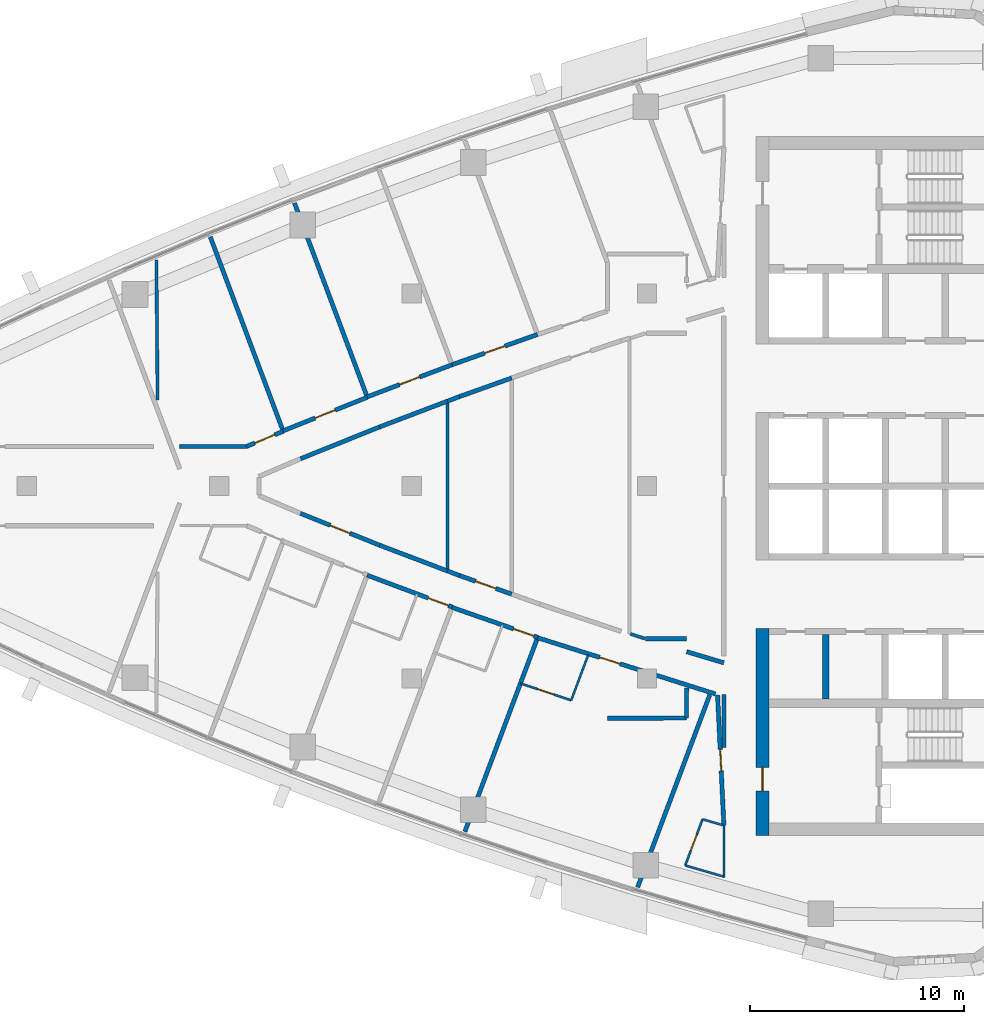
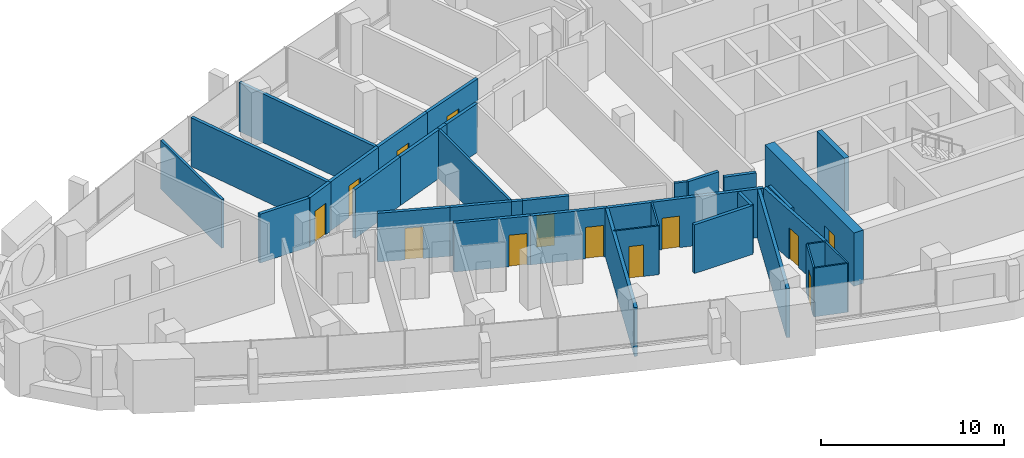
# One storey, part 9 of 16: 37 walls, 13 doors, 13 openings.
"""IFC4 building model written with IfcOpenShell, lengths in metres."""

from ifc_helpers import new_model, si_unit, direction, frame, frame_2d, origin, place, context, subcontext, project, spatial, rectangle, extrude, material, layer, layer_set, type_object, element, fill, save


model = new_model("IFC4")

# Units and contexts
model_context = context("Model", 3, precision=1e-05, world=origin(), true_north=direction((0.0, 1.0)))
body_context = subcontext(model_context, "Body", "Model", "MODEL_VIEW")
ifc_project = project(units=[si_unit("LENGTHUNIT", "METRE"), si_unit("AREAUNIT", "SQUARE_METRE"), si_unit("VOLUMEUNIT", "CUBIC_METRE"), si_unit("PLANEANGLEUNIT", "RADIAN"), si_unit("MASSUNIT", "GRAM", prefix="KILO")], contexts=[model_context])

# Site, building, storey
site_placement = place(None, origin())
site = spatial("IfcSite", under=ifc_project, at=site_placement, CompositionType="ELEMENT")
building_placement = place(site_placement, origin())
building = spatial("IfcBuilding", under=site, at=building_placement, Name="Ostrand Prow Hotel Tower", CompositionType="ELEMENT")
storey_placement = place(building_placement, frame((0.0, 0.0, 245.64990234375)))
storey = spatial("IfcBuildingStorey", under=building, at=storey_placement, Name="L62", CompositionType="ELEMENT", Elevation=245.64990234375)

# Wall
ifc_material_1 = material(Name="Concrete C50/60", Category="concrete")
ifc_layer_1 = layer(ifc_material_1, 0.300048828125)
ifc_layer_set_1 = layer_set([ifc_layer_1], Name="Concrete C50/60")
wall_type_1 = type_object("IfcWallType", Name="Core wall 300 C50/60", PredefinedType="SHEAR", material=ifc_layer_set_1)
wall_1_placement = place(storey_placement, frame((53.35009765625, -9.949951171875, 0.0), z_axis=(0.0, 0.0, 1.0), x_axis=(0.0, 1.0, 0.0)))
element("IfcWall", 1, at=wall_1_placement, inside=storey, type_object=wall_type_1, Name="Core wall PW-R1-SA", PredefinedType="SHEAR", context=body_context, shape_type="SweptSolid", body=[
    extrude(rectangle(XDim=3.0, YDim=0.300048828125, at=frame_2d((1.5, 0.0))), origin(), (0.0, 0.0, 1.0), 3.550048828125),
])

# Wall, opening, door
ifc_material_2 = material(Name="Concrete C50/60", Category="concrete")
ifc_layer_2 = layer(ifc_material_2, 0.60009765625)
ifc_layer_set_2 = layer_set([ifc_layer_2], Name="Concrete C50/60")
wall_type_2 = type_object("IfcWallType", Name="Core wall 600 C50/60", PredefinedType="SHEAR", material=ifc_layer_set_2)
wall_2_placement = place(storey_placement, frame((50.39990234375, -16.35009765625, 0.0), z_axis=(0.0, 0.0, 1.0), x_axis=(0.0, 1.0, 0.0)))
wall_2 = element("IfcWall", 2, at=wall_2_placement, inside=storey, type_object=wall_type_2, Name="Core wall CW-W-S", PredefinedType="SHEAR", context=body_context, shape_type="SweptSolid", body=[
    extrude(rectangle(XDim=9.7001953125, YDim=0.60009765625, at=frame_2d((4.85009765625, 0.0))), origin(), (0.0, 0.0, 1.0), 3.550048828125),
])
opening_1_placement = place(wall_2_placement, frame((2.10009765625, 0.0, 0.0)))
opening_1 = element("IfcOpeningElement", 3, at=opening_1_placement, cuts=wall_2, Name="Opening FD1", PredefinedType="OPENING", context=body_context, shape_type="SweptSolid", body=[
    extrude(rectangle(XDim=1.10009765625, YDim=2.10009765625, at=frame_2d((0.550048828125, 1.050048828125))), frame((0.0, 0.31005859375, 0.0), z_axis=(0.0, -1.0, 0.0), x_axis=(1.0, 0.0, 0.0)), (0.0, 0.0, 1.0), 0.6201171875),
])
ifc_material_3 = material(Name="Steel fire door", Category="steel")
door_type_1 = type_object("IfcDoorType", Name="Fire door 1100 EI120", OperationType="SINGLE_SWING_RIGHT", PredefinedType="DOOR", material=ifc_material_3)
door_1_placement = place(opening_1_placement, origin())
door_1 = element("IfcDoor", 4, at=door_1_placement, inside=storey, type_object=door_type_1, Name="FIRE DOOR", OperationType="SINGLE_SWING_RIGHT", OverallHeight=2.10009765625, OverallWidth=1.10009765625, PredefinedType="DOOR", context=body_context, shape_type="SweptSolid", body=[
    extrude(rectangle(XDim=1.10009765625, YDim=2.10009765625, at=frame_2d((0.550048828125, 1.050048828125))), frame((0.0, 0.02490234375, 0.0), z_axis=(0.0, -1.0, 0.0), x_axis=(1.0, 0.0, 0.0)), (0.0, 0.0, 1.0), 0.050048828125),
])
fill(opening_1, door_1)

# Wall
ifc_material_4 = material(Name="Plasterboard partition")
ifc_layer_3 = layer(ifc_material_4, 0.10009765625)
ifc_layer_set_3 = layer_set([ifc_layer_3], Name="Plasterboard partition")
wall_type_3 = type_object("IfcWallType", Name="Partition 100 bathroom wall", PredefinedType="PARTITIONING", material=ifc_layer_set_3)
wall_3_placement = place(storey_placement, frame((42.254150390625, -7.88623046875, 0.0), z_axis=(0.0, 0.0, 1.0), x_axis=(-0.351111699725, -0.936333580684, 0.0)))
element("IfcWall", 5, at=wall_3_placement, inside=storey, type_object=wall_type_3, Name="BATHROOM WALL", PredefinedType="PARTITIONING", context=body_context, shape_type="SweptSolid", body=[
    extrude(rectangle(XDim=2.278564453125, YDim=0.10009765625, at=frame_2d((1.13916015625, 0.0))), origin(), (0.0, 0.0, 1.0), 3.25),
])

# Wall, opening, door
wall_4_placement = place(storey_placement, frame((41.4541015625, -10.019775390625, 0.0), z_axis=(0.0, 0.0, 1.0), x_axis=(-0.948497709953, 0.316783986676, 0.0)))
wall_4 = element("IfcWall", 6, at=wall_4_placement, inside=storey, type_object=wall_type_3, Name="BATHROOM WALL", PredefinedType="PARTITIONING", context=body_context, shape_type="SweptSolid", body=[
    extrude(rectangle(XDim=2.501708984375, YDim=0.10009765625, at=frame_2d((1.2509765625, 0.0))), origin(), (0.0, 0.0, 1.0), 3.25),
])
opening_2_placement = place(wall_4_placement, frame((0.85009765625, 0.0, 0.0)))
opening_2 = element("IfcOpeningElement", 7, at=opening_2_placement, cuts=wall_4, Name="Opening D2", PredefinedType="OPENING", context=body_context, shape_type="SweptSolid", body=[
    extrude(rectangle(XDim=0.800048828125, YDim=2.10009765625, at=frame_2d((0.39990234375, 1.050048828125))), frame((0.0, 0.06005859375, 0.0), z_axis=(0.0, -1.0, 0.0), x_axis=(1.0, 0.0, 0.0)), (0.0, 0.0, 1.0), 0.1201171875),
])
ifc_material_5 = material(Name="Timber door leaf", Category="wood")
door_type_2 = type_object("IfcDoorType", Name="Bathroom door 800", OperationType="SINGLE_SWING_LEFT", PredefinedType="DOOR", material=ifc_material_5)
door_2_placement = place(opening_2_placement, origin())
door_2 = element("IfcDoor", 8, at=door_2_placement, inside=storey, type_object=door_type_2, Name="DOOR", OperationType="SINGLE_SWING_LEFT", OverallHeight=2.10009765625, OverallWidth=0.800048828125, PredefinedType="DOOR", context=body_context, shape_type="SweptSolid", body=[
    extrude(rectangle(XDim=0.800048828125, YDim=2.10009765625, at=frame_2d((0.39990234375, 1.050048828125))), frame((0.0, 0.02490234375, 0.0), z_axis=(0.0, -1.0, 0.0), x_axis=(1.0, 0.0, 0.0)), (0.0, 0.0, 1.0), 0.050048828125),
])
fill(opening_2, door_2)

wall_5_placement = place(storey_placement, frame((46.78759765625, -17.741455078125, 0.0), z_axis=(0.0, 0.0, 1.0), x_axis=(0.351158236187, 0.936316128857, 0.0)))
wall_5 = element("IfcWall", 9, at=wall_5_placement, inside=storey, type_object=wall_type_3, Name="BATHROOM WALL", PredefinedType="PARTITIONING", context=body_context, shape_type="SweptSolid", body=[
    extrude(rectangle(XDim=2.306884765625, YDim=0.10009765625, at=frame_2d((1.1533203125, 0.0))), origin(), (0.0, 0.0, 1.0), 3.25),
])
opening_3_placement = place(wall_5_placement, frame((0.75, 0.0, 0.0)))
opening_3 = element("IfcOpeningElement", 10, at=opening_3_placement, cuts=wall_5, Name="Opening D2", PredefinedType="OPENING", context=body_context, shape_type="SweptSolid", body=[
    extrude(rectangle(XDim=0.800048828125, YDim=2.10009765625, at=frame_2d((0.39990234375, 1.050048828125))), frame((0.0, 0.06005859375, 0.0), z_axis=(0.0, -1.0, 0.0), x_axis=(1.0, 0.0, 0.0)), (0.0, 0.0, 1.0), 0.1201171875),
])
door_3_placement = place(opening_3_placement, origin())
door_3 = element("IfcDoor", 11, at=door_3_placement, inside=storey, type_object=door_type_2, Name="DOOR", OperationType="SINGLE_SWING_LEFT", OverallHeight=2.10009765625, OverallWidth=0.800048828125, PredefinedType="DOOR", context=body_context, shape_type="SweptSolid", body=[
    extrude(rectangle(XDim=0.800048828125, YDim=2.10009765625, at=frame_2d((0.39990234375, 1.050048828125))), frame((0.0, 0.02490234375, 0.0), z_axis=(0.0, -1.0, 0.0), x_axis=(1.0, 0.0, 0.0)), (0.0, 0.0, 1.0), 0.050048828125),
])
fill(opening_3, door_3)

# Walls
wall_6_placement = place(storey_placement, frame((47.59765625, -15.58154296875, 0.0), z_axis=(0.0, 0.0, 1.0), x_axis=(0.960468222897, -0.278389642057, 0.0)))
element("IfcWall", 12, at=wall_6_placement, inside=storey, type_object=wall_type_3, Name="BATHROOM WALL", PredefinedType="PARTITIONING", context=body_context, shape_type="SweptSolid", body=[
    extrude(rectangle(XDim=1.01904296875, YDim=0.10009765625, at=frame_2d((0.509521484375, 0.0))), origin(), (0.0, 0.0, 1.0), 3.25),
])
wall_7_placement = place(storey_placement, frame((48.57763671875, -18.26025390625, 0.0), z_axis=(0.0, 0.0, 1.0), x_axis=(-0.960473980386, 0.278369777458, 0.0)))
element("IfcWall", 13, at=wall_7_placement, inside=storey, type_object=wall_type_3, Name="BATHROOM WALL", PredefinedType="PARTITIONING", context=body_context, shape_type="SweptSolid", body=[
    extrude(rectangle(XDim=1.86376953125, YDim=0.10009765625, at=frame_2d((0.931884765625, 0.0))), origin(), (0.0, 0.0, 1.0), 3.25),
])
wall_8_placement = place(storey_placement, frame((48.594970703125, -15.86572265625, 0.0), z_axis=(0.0, 0.0, 1.0), x_axis=(0.0, -1.0, 0.0)))
element("IfcWall", 14, at=wall_8_placement, inside=storey, type_object=wall_type_3, Name="BATHROOM WALL", PredefinedType="PARTITIONING", context=body_context, shape_type="SweptSolid", body=[
    extrude(rectangle(XDim=2.4306640625, YDim=0.10009765625, at=frame_2d((1.21533203125, 0.0))), origin(), (0.0, 0.0, 1.0), 3.25),
])
ifc_material_6 = material(Name="Plasterboard partition")
ifc_layer_4 = layer(ifc_material_6, 0.14990234375)
ifc_layer_set_4 = layer_set([ifc_layer_4], Name="Plasterboard partition")
wall_type_4 = type_object("IfcWallType", Name="Partition 150 room partition", PredefinedType="PARTITIONING", material=ifc_layer_set_4)
wall_9_placement = place(storey_placement, frame((35.673583984375, -3.971923828125, 0.0), z_axis=(0.0, 0.0, 1.0), x_axis=(0.0, 1.0, 0.0)))
element("IfcWall", 15, at=wall_9_placement, inside=storey, type_object=wall_type_4, Name="ROOM PARTITION", PredefinedType="PARTITIONING", context=body_context, shape_type="SweptSolid", body=[
    extrude(rectangle(XDim=7.94384765625, YDim=0.14990234375, at=frame_2d((3.971923828125, 0.0))), origin(), (0.0, 0.0, 1.0), 3.25),
])
wall_10_placement = place(storey_placement, frame((22.057373046875, 10.577880859375, 0.0), z_axis=(0.0, 0.0, 1.0), x_axis=(0.008379594055, -0.999964890585, 0.0)))
element("IfcWall", 16, at=wall_10_placement, inside=storey, type_object=wall_type_4, Name="ROOM PARTITION", PredefinedType="PARTITIONING", context=body_context, shape_type="SweptSolid", body=[
    extrude(rectangle(XDim=6.555419921875, YDim=0.14990234375, at=frame_2d((3.27783203125, 0.0))), origin(), (0.0, 0.0, 1.0), 3.25),
])
wall_11_placement = place(storey_placement, frame((44.8955078125, -7.132568359375, 0.0), z_axis=(0.0, 0.0, 1.0), x_axis=(-0.94982393739, 0.312785050732, 0.0)))
element("IfcWall", 17, at=wall_11_placement, inside=storey, type_object=wall_type_4, Name="ROOM PARTITION", PredefinedType="PARTITIONING", context=body_context, shape_type="SweptSolid", body=[
    extrude(rectangle(XDim=0.702392578125, YDim=0.14990234375, at=frame_2d((0.35107421875, 0.0))), origin(), (0.0, 0.0, 1.0), 3.25),
])

# Wall, opening, door
ifc_material_7 = material(Name="Plasterboard partition")
ifc_layer_5 = layer(ifc_material_7, 0.199951171875)
ifc_layer_set_5 = layer_set([ifc_layer_5], Name="Plasterboard partition")
wall_type_5 = type_object("IfcWallType", Name="Partition 200 corridor wall", PredefinedType="PARTITIONING", material=ifc_layer_set_5)
wall_12_placement = place(storey_placement, frame((26.265869140625, 1.85009765625, 0.0), z_axis=(0.0, 0.0, 1.0), x_axis=(0.924055156704, 0.382259162569, 0.0)))
wall_12 = element("IfcWall", 18, at=wall_12_placement, inside=storey, type_object=wall_type_5, Name="CORRIDOR WALL", PredefinedType="PARTITIONING", context=body_context, shape_type="SweptSolid", body=[
    extrude(rectangle(XDim=1.8623046875, YDim=0.199951171875, at=frame_2d((0.93115234375, 0.0))), origin(), (0.0, 0.0, 1.0), 3.25),
])
opening_4_placement = place(wall_12_placement, frame((0.43115234375, 0.0, 0.0)))
opening_4 = element("IfcOpeningElement", 19, at=opening_4_placement, cuts=wall_12, Name="Opening D1", PredefinedType="OPENING", context=body_context, shape_type="SweptSolid", body=[
    extrude(rectangle(XDim=1.0, YDim=2.10009765625, at=frame_2d((0.5, 1.050048828125))), frame((0.0, 0.10986328125, 0.0), z_axis=(0.0, -1.0, 0.0), x_axis=(1.0, 0.0, 0.0)), (0.0, 0.0, 1.0), 0.219970703125),
])
ifc_material_8 = material(Name="Timber door leaf", Category="wood")
door_type_3 = type_object("IfcDoorType", Name="Guest room door 1000", OperationType="SINGLE_SWING_LEFT", PredefinedType="DOOR", material=ifc_material_8)
door_4_placement = place(opening_4_placement, origin())
door_4 = element("IfcDoor", 20, at=door_4_placement, inside=storey, type_object=door_type_3, Name="DOOR", OperationType="SINGLE_SWING_LEFT", OverallHeight=2.10009765625, OverallWidth=1.0, PredefinedType="DOOR", context=body_context, shape_type="SweptSolid", body=[
    extrude(rectangle(XDim=1.0, YDim=2.10009765625, at=frame_2d((0.5, 1.050048828125))), frame((0.0, 0.02490234375, 0.0), z_axis=(0.0, -1.0, 0.0), x_axis=(1.0, 0.0, 0.0)), (0.0, 0.0, 1.0), 0.050048828125),
])
fill(opening_4, door_4)

wall_13_placement = place(storey_placement, frame((27.979736328125, 2.58056640625, 0.0), z_axis=(0.0, 0.0, 1.0), x_axis=(0.928920552813, 0.370279092795, 0.0)))
wall_13 = element("IfcWall", 21, at=wall_13_placement, inside=storey, type_object=wall_type_5, Name="CORRIDOR WALL", PredefinedType="PARTITIONING", context=body_context, shape_type="SweptSolid", body=[
    extrude(rectangle(XDim=4.2421875, YDim=0.199951171875, at=frame_2d((2.12109375, 0.0))), origin(), (0.0, 0.0, 1.0), 3.25),
])
opening_5_placement = place(wall_13_placement, frame((1.62109375, 0.0, 0.0)))
opening_5 = element("IfcOpeningElement", 22, at=opening_5_placement, cuts=wall_13, Name="Opening D1R", PredefinedType="OPENING", context=body_context, shape_type="SweptSolid", body=[
    extrude(rectangle(XDim=1.0, YDim=2.10009765625, at=frame_2d((0.5, 1.050048828125))), frame((0.0, 0.10986328125, 0.0), z_axis=(0.0, -1.0, 0.0), x_axis=(1.0, 0.0, 0.0)), (0.0, 0.0, 1.0), 0.219970703125),
])
ifc_material_9 = material(Name="Timber door leaf", Category="wood")
door_type_4 = type_object("IfcDoorType", Name="Guest room door 1000 right", OperationType="SINGLE_SWING_RIGHT", PredefinedType="DOOR", material=ifc_material_9)
door_5_placement = place(opening_5_placement, origin())
door_5 = element("IfcDoor", 23, at=door_5_placement, inside=storey, type_object=door_type_4, Name="DOOR", OperationType="SINGLE_SWING_RIGHT", OverallHeight=2.10009765625, OverallWidth=1.0, PredefinedType="DOOR", context=body_context, shape_type="SweptSolid", body=[
    extrude(rectangle(XDim=1.0, YDim=2.10009765625, at=frame_2d((0.5, 1.050048828125))), frame((0.0, 0.02490234375, 0.0), z_axis=(0.0, -1.0, 0.0), x_axis=(1.0, 0.0, 0.0)), (0.0, 0.0, 1.0), 0.050048828125),
])
fill(opening_5, door_5)

wall_14_placement = place(storey_placement, frame((35.882080078125, 5.673095703125, 0.0), z_axis=(0.0, 0.0, 1.0), x_axis=(-0.935189471058, -0.354147784438, 0.0)))
wall_14 = element("IfcWall", 24, at=wall_14_placement, inside=storey, type_object=wall_type_5, Name="CORRIDOR WALL", PredefinedType="PARTITIONING", context=body_context, shape_type="SweptSolid", body=[
    extrude(rectangle(XDim=4.243896484375, YDim=0.199951171875, at=frame_2d((2.1220703125, 0.0))), origin(), (0.0, 0.0, 1.0), 3.25),
])
opening_6_placement = place(wall_14_placement, frame((1.621826171875, 0.0, 0.0)))
opening_6 = element("IfcOpeningElement", 25, at=opening_6_placement, cuts=wall_14, Name="Opening D1", PredefinedType="OPENING", context=body_context, shape_type="SweptSolid", body=[
    extrude(rectangle(XDim=1.0, YDim=2.10009765625, at=frame_2d((0.5, 1.050048828125))), frame((0.0, 0.10986328125, 0.0), z_axis=(0.0, -1.0, 0.0), x_axis=(1.0, 0.0, 0.0)), (0.0, 0.0, 1.0), 0.219970703125),
])
door_6_placement = place(opening_6_placement, origin())
door_6 = element("IfcDoor", 26, at=door_6_placement, inside=storey, type_object=door_type_3, Name="DOOR", OperationType="SINGLE_SWING_LEFT", OverallHeight=2.10009765625, OverallWidth=1.0, PredefinedType="DOOR", context=body_context, shape_type="SweptSolid", body=[
    extrude(rectangle(XDim=1.0, YDim=2.10009765625, at=frame_2d((0.5, 1.050048828125))), frame((0.0, 0.02490234375, 0.0), z_axis=(0.0, -1.0, 0.0), x_axis=(1.0, 0.0, 0.0)), (0.0, 0.0, 1.0), 0.050048828125),
])
fill(opening_6, door_6)

wall_15_placement = place(storey_placement, frame((39.88232421875, 7.091064453125, 0.0), z_axis=(0.0, 0.0, 1.0), x_axis=(-0.942537055217, -0.334101630559, 0.0)))
wall_15 = element("IfcWall", 27, at=wall_15_placement, inside=storey, type_object=wall_type_5, Name="CORRIDOR WALL", PredefinedType="PARTITIONING", context=body_context, shape_type="SweptSolid", body=[
    extrude(rectangle(XDim=4.244140625, YDim=0.199951171875, at=frame_2d((2.1220703125, 0.0))), origin(), (0.0, 0.0, 1.0), 3.25),
])
opening_7_placement = place(wall_15_placement, frame((1.622314453125, 0.0, 0.0)))
opening_7 = element("IfcOpeningElement", 28, at=opening_7_placement, cuts=wall_15, Name="Opening D1R", PredefinedType="OPENING", context=body_context, shape_type="SweptSolid", body=[
    extrude(rectangle(XDim=1.0, YDim=2.10009765625, at=frame_2d((0.5, 1.050048828125))), frame((0.0, 0.10986328125, 0.0), z_axis=(0.0, -1.0, 0.0), x_axis=(1.0, 0.0, 0.0)), (0.0, 0.0, 1.0), 0.219970703125),
])
door_7_placement = place(opening_7_placement, origin())
door_7 = element("IfcDoor", 29, at=door_7_placement, inside=storey, type_object=door_type_4, Name="DOOR", OperationType="SINGLE_SWING_RIGHT", OverallHeight=2.10009765625, OverallWidth=1.0, PredefinedType="DOOR", context=body_context, shape_type="SweptSolid", body=[
    extrude(rectangle(XDim=1.0, YDim=2.10009765625, at=frame_2d((0.5, 1.050048828125))), frame((0.0, 0.02490234375, 0.0), z_axis=(0.0, -1.0, 0.0), x_axis=(1.0, 0.0, 0.0)), (0.0, 0.0, 1.0), 0.050048828125),
])
fill(opening_7, door_7)

wall_16_placement = place(storey_placement, frame((31.913330078125, -4.170166015625, 0.0), z_axis=(0.0, 0.0, 1.0), x_axis=(0.936848300955, -0.349735987565, 0.0)))
wall_16 = element("IfcWall", 30, at=wall_16_placement, inside=storey, type_object=wall_type_5, Name="CORRIDOR WALL", PredefinedType="PARTITIONING", context=body_context, shape_type="SweptSolid", body=[
    extrude(rectangle(XDim=4.24365234375, YDim=0.199951171875, at=frame_2d((2.121826171875, 0.0))), origin(), (0.0, 0.0, 1.0), 3.25),
])
opening_8_placement = place(wall_16_placement, frame((3.050048828125, 0.0, 0.0)))
opening_8 = element("IfcOpeningElement", 31, at=opening_8_placement, cuts=wall_16, Name="Opening D1", PredefinedType="OPENING", context=body_context, shape_type="SweptSolid", body=[
    extrude(rectangle(XDim=1.0, YDim=2.10009765625, at=frame_2d((0.5, 1.050048828125))), frame((0.0, 0.10986328125, 0.0), z_axis=(0.0, -1.0, 0.0), x_axis=(1.0, 0.0, 0.0)), (0.0, 0.0, 1.0), 0.219970703125),
])
door_8_placement = place(opening_8_placement, origin())
door_8 = element("IfcDoor", 32, at=door_8_placement, inside=storey, type_object=door_type_3, Name="DOOR", OperationType="SINGLE_SWING_LEFT", OverallHeight=2.10009765625, OverallWidth=1.0, PredefinedType="DOOR", context=body_context, shape_type="SweptSolid", body=[
    extrude(rectangle(XDim=1.0, YDim=2.10009765625, at=frame_2d((0.5, 1.050048828125))), frame((0.0, 0.02490234375, 0.0), z_axis=(0.0, -1.0, 0.0), x_axis=(1.0, 0.0, 0.0)), (0.0, 0.0, 1.0), 0.050048828125),
])
fill(opening_8, door_8)

wall_17_placement = place(storey_placement, frame((35.882080078125, -5.673095703125, 0.0), z_axis=(0.0, 0.0, 1.0), x_axis=(0.944107376821, -0.329638075823, 0.0)))
wall_17 = element("IfcWall", 33, at=wall_17_placement, inside=storey, type_object=wall_type_5, Name="CORRIDOR WALL", PredefinedType="PARTITIONING", context=body_context, shape_type="SweptSolid", body=[
    extrude(rectangle(XDim=4.24462890625, YDim=0.199951171875, at=frame_2d((2.122314453125, 0.0))), origin(), (0.0, 0.0, 1.0), 3.25),
])
opening_9_placement = place(wall_17_placement, frame((3.050048828125, 0.0, 0.0)))
opening_9 = element("IfcOpeningElement", 34, at=opening_9_placement, cuts=wall_17, Name="Opening D1", PredefinedType="OPENING", context=body_context, shape_type="SweptSolid", body=[
    extrude(rectangle(XDim=1.0, YDim=2.10009765625, at=frame_2d((0.5, 1.050048828125))), frame((0.0, 0.10986328125, 0.0), z_axis=(0.0, -1.0, 0.0), x_axis=(1.0, 0.0, 0.0)), (0.0, 0.0, 1.0), 0.219970703125),
])
door_9_placement = place(opening_9_placement, origin())
door_9 = element("IfcDoor", 35, at=door_9_placement, inside=storey, type_object=door_type_3, Name="DOOR", OperationType="SINGLE_SWING_LEFT", OverallHeight=2.10009765625, OverallWidth=1.0, PredefinedType="DOOR", context=body_context, shape_type="SweptSolid", body=[
    extrude(rectangle(XDim=1.0, YDim=2.10009765625, at=frame_2d((0.5, 1.050048828125))), frame((0.0, 0.02490234375, 0.0), z_axis=(0.0, -1.0, 0.0), x_axis=(1.0, 0.0, 0.0)), (0.0, 0.0, 1.0), 0.050048828125),
])
fill(opening_9, door_9)

wall_18_placement = place(storey_placement, frame((39.88232421875, -7.091064453125, 0.0), z_axis=(0.0, 0.0, 1.0), x_axis=(0.953395918068, -0.301722096326, 0.0)))
wall_18 = element("IfcWall", 36, at=wall_18_placement, inside=storey, type_object=wall_type_5, Name="CORRIDOR WALL", PredefinedType="PARTITIONING", context=body_context, shape_type="SweptSolid", body=[
    extrude(rectangle(XDim=8.721923828125, YDim=0.199951171875, at=frame_2d((4.36083984375, 0.0))), origin(), (0.0, 0.0, 1.0), 3.25),
])
opening_10_placement = place(wall_18_placement, frame((3.050048828125, 0.0, 0.0)))
opening_10 = element("IfcOpeningElement", 37, at=opening_10_placement, cuts=wall_18, Name="Opening D1", PredefinedType="OPENING", context=body_context, shape_type="SweptSolid", body=[
    extrude(rectangle(XDim=1.0, YDim=2.10009765625, at=frame_2d((0.5, 1.050048828125))), frame((0.0, 0.10986328125, 0.0), z_axis=(0.0, -1.0, 0.0), x_axis=(1.0, 0.0, 0.0)), (0.0, 0.0, 1.0), 0.219970703125),
])
door_10_placement = place(opening_10_placement, origin())
door_10 = element("IfcDoor", 38, at=door_10_placement, inside=storey, type_object=door_type_3, Name="DOOR", OperationType="SINGLE_SWING_LEFT", OverallHeight=2.10009765625, OverallWidth=1.0, PredefinedType="DOOR", context=body_context, shape_type="SweptSolid", body=[
    extrude(rectangle(XDim=1.0, YDim=2.10009765625, at=frame_2d((0.5, 1.050048828125))), frame((0.0, 0.02490234375, 0.0), z_axis=(0.0, -1.0, 0.0), x_axis=(1.0, 0.0, 0.0)), (0.0, 0.0, 1.0), 0.050048828125),
])
fill(opening_10, door_10)

wall_19_placement = place(storey_placement, frame((32.50146484375, -2.768310546875, 0.0), z_axis=(0.0, 0.0, 1.0), x_axis=(-0.927622894464, 0.373518092823, 0.0)))
wall_19 = element("IfcWall", 39, at=wall_19_placement, inside=storey, type_object=wall_type_5, Name="CORRIDOR WALL", PredefinedType="PARTITIONING", context=body_context, shape_type="SweptSolid", body=[
    extrude(rectangle(XDim=3.994873046875, YDim=0.199951171875, at=frame_2d((1.99755859375, 0.0))), origin(), (0.0, 0.0, 1.0), 3.25),
])
opening_11_placement = place(wall_19_placement, frame((1.49755859375, 0.0, 0.0)))
opening_11 = element("IfcOpeningElement", 40, at=opening_11_placement, cuts=wall_19, Name="Opening D1", PredefinedType="OPENING", context=body_context, shape_type="SweptSolid", body=[
    extrude(rectangle(XDim=1.0, YDim=2.10009765625, at=frame_2d((0.5, 1.050048828125))), frame((0.0, 0.10986328125, 0.0), z_axis=(0.0, -1.0, 0.0), x_axis=(1.0, 0.0, 0.0)), (0.0, 0.0, 1.0), 0.219970703125),
])
door_11_placement = place(opening_11_placement, origin())
door_11 = element("IfcDoor", 41, at=door_11_placement, inside=storey, type_object=door_type_3, Name="DOOR", OperationType="SINGLE_SWING_LEFT", OverallHeight=2.10009765625, OverallWidth=1.0, PredefinedType="DOOR", context=body_context, shape_type="SweptSolid", body=[
    extrude(rectangle(XDim=1.0, YDim=2.10009765625, at=frame_2d((0.5, 1.050048828125))), frame((0.0, 0.02490234375, 0.0), z_axis=(0.0, -1.0, 0.0), x_axis=(1.0, 0.0, 0.0)), (0.0, 0.0, 1.0), 0.050048828125),
])
fill(opening_11, door_11)

# Walls
wall_20_placement = place(storey_placement, frame((28.795654296875, 1.276123046875, 0.0), z_axis=(0.0, 0.0, 1.0), x_axis=(0.927622894464, 0.373518092823, 0.0)))
element("IfcWall", 42, at=wall_20_placement, inside=storey, type_object=wall_type_5, Name="CORRIDOR WALL", PredefinedType="PARTITIONING", context=body_context, shape_type="SweptSolid", body=[
    extrude(rectangle(XDim=3.994873046875, YDim=0.199951171875, at=frame_2d((1.99755859375, 0.0))), origin(), (0.0, 0.0, 1.0), 3.25),
])
for number, where, z_axis, x_axis, name in (
    (43, (32.50146484375, 2.768310546875, 0.0), (0.0, 0.0, 1.0), (0.93495884859, 0.354756185912, 0.0), "CORRIDOR WALL"),
    (44, (35.673583984375, -3.971923828125, 0.0), (0.0, 0.0, 1.0), (-0.93495884859, 0.354756185912, 0.0), "CORRIDOR WALL"),
):
    element("IfcWall", number, at=place(storey_placement, frame(where, z_axis=z_axis, x_axis=x_axis)), inside=storey, type_object=wall_type_5, Name=name, PredefinedType="PARTITIONING", context=body_context, shape_type="SweptSolid", body=[
        extrude(rectangle(XDim=3.392822265625, YDim=0.199951171875, at=frame_2d((1.6962890625, 0.0))), origin(), (0.0, 0.0, 1.0), 3.25),
    ])

# Wall, opening, door
wall_21_placement = place(storey_placement, frame((38.673583984375, -5.0546875, 0.0), z_axis=(0.0, 0.0, 1.0), x_axis=(-0.941901902054, 0.335888086879, 0.0)))
wall_21 = element("IfcWall", 45, at=wall_21_placement, inside=storey, type_object=wall_type_5, Name="CORRIDOR WALL", PredefinedType="PARTITIONING", context=body_context, shape_type="SweptSolid", body=[
    extrude(rectangle(XDim=2.587646484375, YDim=0.199951171875, at=frame_2d((1.2939453125, 0.0))), origin(), (0.0, 0.0, 1.0), 3.25),
])
opening_12_placement = place(wall_21_placement, frame((0.793701171875, 0.0, 0.0)))
opening_12 = element("IfcOpeningElement", 46, at=opening_12_placement, cuts=wall_21, Name="Opening D1R", PredefinedType="OPENING", context=body_context, shape_type="SweptSolid", body=[
    extrude(rectangle(XDim=1.0, YDim=2.10009765625, at=frame_2d((0.5, 1.050048828125))), frame((0.0, 0.10986328125, 0.0), z_axis=(0.0, -1.0, 0.0), x_axis=(1.0, 0.0, 0.0)), (0.0, 0.0, 1.0), 0.219970703125),
])
door_12_placement = place(opening_12_placement, origin())
door_12 = element("IfcDoor", 47, at=door_12_placement, inside=storey, type_object=door_type_4, Name="DOOR", OperationType="SINGLE_SWING_RIGHT", OverallHeight=2.10009765625, OverallWidth=1.0, PredefinedType="DOOR", context=body_context, shape_type="SweptSolid", body=[
    extrude(rectangle(XDim=1.0, YDim=2.10009765625, at=frame_2d((0.5, 1.050048828125))), frame((0.0, 0.02490234375, 0.0), z_axis=(0.0, -1.0, 0.0), x_axis=(1.0, 0.0, 0.0)), (0.0, 0.0, 1.0), 0.050048828125),
])
fill(opening_12, door_12)

# Walls
for number, where, z_axis, x_axis, name in (
    (48, (36.236328125, -4.185546875, 0.0), (0.0, 0.0, 1.0), (-0.934904737906, 0.354898761678, 0.0), "CORRIDOR WALL"),
    (49, (35.673583984375, 3.971923828125, 0.0), (0.0, 0.0, 1.0), (0.934904737906, 0.354898761678, 0.0), "CORRIDOR WALL"),
):
    element("IfcWall", number, at=place(storey_placement, frame(where, z_axis=z_axis, x_axis=x_axis)), inside=storey, type_object=wall_type_5, Name=name, PredefinedType="PARTITIONING", context=body_context, shape_type="SweptSolid", body=[
        extrude(rectangle(XDim=0.601806640625, YDim=0.199951171875, at=frame_2d((0.30078125, 0.0))), origin(), (0.0, 0.0, 1.0), 3.25),
    ])
wall_22_placement = place(storey_placement, frame((36.236328125, 4.185546875, 0.0), z_axis=(0.0, 0.0, 1.0), x_axis=(0.941901902054, 0.335888086879, 0.0)))
element("IfcWall", 50, at=wall_22_placement, inside=storey, type_object=wall_type_5, Name="CORRIDOR WALL", PredefinedType="PARTITIONING", context=body_context, shape_type="SweptSolid", body=[
    extrude(rectangle(XDim=2.587646484375, YDim=0.199951171875, at=frame_2d((1.2939453125, 0.0))), origin(), (0.0, 0.0, 1.0), 3.25),
])

# Wall, opening, door
wall_23_placement = place(storey_placement, frame((48.300048828125, -9.76708984375, 0.0), z_axis=(0.0, 0.0, 1.0), x_axis=(0.048302241024, -0.998832765538, 0.0)))
wall_23 = element("IfcWall", 51, at=wall_23_placement, inside=storey, type_object=wall_type_5, Name="CORRIDOR WALL", PredefinedType="PARTITIONING", context=body_context, shape_type="SweptSolid", body=[
    extrude(rectangle(XDim=6.105712890625, YDim=0.199951171875, at=frame_2d((3.052734375, 0.0))), origin(), (0.0, 0.0, 1.0), 3.25),
])
opening_13_placement = place(wall_23_placement, frame((2.552978515625, 0.0, 0.0)))
opening_13 = element("IfcOpeningElement", 52, at=opening_13_placement, cuts=wall_23, Name="Opening D1R", PredefinedType="OPENING", context=body_context, shape_type="SweptSolid", body=[
    extrude(rectangle(XDim=1.0, YDim=2.10009765625, at=frame_2d((0.5, 1.050048828125))), frame((0.0, 0.10986328125, 0.0), z_axis=(0.0, -1.0, 0.0), x_axis=(1.0, 0.0, 0.0)), (0.0, 0.0, 1.0), 0.219970703125),
])
door_13_placement = place(opening_13_placement, origin())
door_13 = element("IfcDoor", 53, at=door_13_placement, inside=storey, type_object=door_type_4, Name="DOOR", OperationType="SINGLE_SWING_RIGHT", OverallHeight=2.10009765625, OverallWidth=1.0, PredefinedType="DOOR", context=body_context, shape_type="SweptSolid", body=[
    extrude(rectangle(XDim=1.0, YDim=2.10009765625, at=frame_2d((0.5, 1.050048828125))), frame((0.0, 0.02490234375, 0.0), z_axis=(0.0, -1.0, 0.0), x_axis=(1.0, 0.0, 0.0)), (0.0, 0.0, 1.0), 0.050048828125),
])
fill(opening_13, door_13)

# Walls
wall_24_placement = place(storey_placement, frame((48.594970703125, -8.264892578125, 0.0), z_axis=(0.0, 0.0, 1.0), x_axis=(-0.958014760688, 0.286718883759, 0.0)))
element("IfcWall", 54, at=wall_24_placement, inside=storey, type_object=wall_type_5, Name="CORRIDOR WALL", PredefinedType="PARTITIONING", context=body_context, shape_type="SweptSolid", body=[
    extrude(rectangle(XDim=1.816162109375, YDim=0.199951171875, at=frame_2d((0.908203125, 0.0))), origin(), (0.0, 0.0, 1.0), 3.25),
])
wall_25_placement = place(storey_placement, frame((46.8515625, -7.145263671875, 0.0), z_axis=(0.0, 0.0, 1.0), x_axis=(-0.999999991898, 0.000127291241, 0.0)))
element("IfcWall", 55, at=wall_25_placement, inside=storey, type_object=wall_type_5, Name="CORRIDOR WALL", PredefinedType="PARTITIONING", context=body_context, shape_type="SweptSolid", body=[
    extrude(rectangle(XDim=1.91796875, YDim=0.199951171875, at=frame_2d((0.958984375, 0.0))), origin(), (0.0, 0.0, 1.0), 3.25),
])
wall_26_placement = place(storey_placement, frame((26.265869140625, 1.85009765625, 0.0), z_axis=(0.0, 0.0, 1.0), x_axis=(-0.999999006581, 0.001409552241, 0.0)))
element("IfcWall", 56, at=wall_26_placement, inside=storey, type_object=wall_type_5, Name="CORRIDOR WALL", PredefinedType="PARTITIONING", context=body_context, shape_type="SweptSolid", body=[
    extrude(rectangle(XDim=3.11767578125, YDim=0.199951171875, at=frame_2d((1.558837890625, 0.0))), origin(), (0.0, 0.0, 1.0), 3.25),
])
wall_27_placement = place(storey_placement, frame((46.8525390625, -9.4541015625, 0.0), z_axis=(0.0, 0.0, 1.0), x_axis=(-0.001748860564, -0.999998470742, 0.0)))
element("IfcWall", 57, at=wall_27_placement, inside=storey, type_object=wall_type_5, Name="CORRIDOR WALL", PredefinedType="PARTITIONING", context=body_context, shape_type="SweptSolid", body=[
    extrude(rectangle(XDim=1.39599609375, YDim=0.199951171875, at=frame_2d((0.697998046875, 0.0))), origin(), (0.0, 0.0, 1.0), 3.25),
])
wall_28_placement = place(storey_placement, frame((46.85009765625, -10.85009765625, 0.0), z_axis=(0.0, 0.0, 1.0), x_axis=(-0.999999438919, -0.00105932144, 0.0)))
element("IfcWall", 58, at=wall_28_placement, inside=storey, type_object=wall_type_5, Name="CORRIDOR WALL", PredefinedType="PARTITIONING", context=body_context, shape_type="SweptSolid", body=[
    extrude(rectangle(XDim=3.6875, YDim=0.199951171875, at=frame_2d((1.84375, 0.0))), origin(), (0.0, 0.0, 1.0), 3.25),
])
wall_29_placement = place(storey_placement, frame((48.60009765625, -12.22412109375, 0.0), z_axis=(0.0, 0.0, 1.0), x_axis=(0.0, 1.0, 0.0)))
element("IfcWall", 59, at=wall_29_placement, inside=storey, type_object=wall_type_5, Name="CORRIDOR WALL", PredefinedType="PARTITIONING", context=body_context, shape_type="SweptSolid", body=[
    extrude(rectangle(XDim=2.468994140625, YDim=0.199951171875, at=frame_2d((1.234375, 0.0))), origin(), (0.0, 0.0, 1.0), 3.25),
])
ifc_material_10 = material(Name="Plasterboard partition")
ifc_layer_6 = layer(ifc_material_10, 0.199951171875)
ifc_layer_set_6 = layer_set([ifc_layer_6], Name="Plasterboard partition")
wall_type_6 = type_object("IfcWallType", Name="Partition 200 key partition", PredefinedType="PARTITIONING", material=ifc_layer_set_6)
wall_30_placement = place(storey_placement, frame((27.98681640625, 2.56201171875, 0.0), z_axis=(0.0, 0.0, 1.0), x_axis=(-0.351153757858, 0.936317808408, 0.0)))
element("IfcWall", 60, at=wall_30_placement, inside=storey, type_object=wall_type_6, Name="KEY PARTITION", PredefinedType="PARTITIONING", context=body_context, shape_type="SweptSolid", body=[
    extrude(rectangle(XDim=9.707763671875, YDim=0.199951171875, at=frame_2d((4.85400390625, 0.0))), origin(), (0.0, 0.0, 1.0), 3.25),
])
wall_31_placement = place(storey_placement, frame((31.92041015625, 4.1513671875, 0.0), z_axis=(0.0, 0.0, 1.0), x_axis=(-0.351126199585, 0.936328143316, 0.0)))
element("IfcWall", 61, at=wall_31_placement, inside=storey, type_object=wall_type_6, Name="KEY PARTITION", PredefinedType="PARTITIONING", context=body_context, shape_type="SweptSolid", body=[
    extrude(rectangle(XDim=9.700927734375, YDim=0.199951171875, at=frame_2d((4.8505859375, 0.0))), origin(), (0.0, 0.0, 1.0), 3.25),
])
wall_32_placement = place(storey_placement, frame((36.481201171875, -16.16064453125, 0.0), z_axis=(0.0, 0.0, 1.0), x_axis=(0.35112895446, 0.936327110224, 0.0)))
element("IfcWall", 62, at=wall_32_placement, inside=storey, type_object=wall_type_6, Name="KEY PARTITION", PredefinedType="PARTITIONING", context=body_context, shape_type="SweptSolid", body=[
    extrude(rectangle(XDim=9.706298828125, YDim=0.199951171875, at=frame_2d((4.85302734375, 0.0))), origin(), (0.0, 0.0, 1.0), 3.25),
])
wall_33_placement = place(storey_placement, frame((44.560302734375, -18.76171875, 0.0), z_axis=(0.0, 0.0, 1.0), x_axis=(0.35112901071, 0.936327089129, 0.0)))
element("IfcWall", 63, at=wall_33_placement, inside=storey, type_object=wall_type_6, Name="KEY PARTITION", PredefinedType="PARTITIONING", context=body_context, shape_type="SweptSolid", body=[
    extrude(rectangle(XDim=9.6083984375, YDim=0.199951171875, at=frame_2d((4.80419921875, 0.0))), origin(), (0.0, 0.0, 1.0), 3.25),
])

save(model, "model.ifc")
